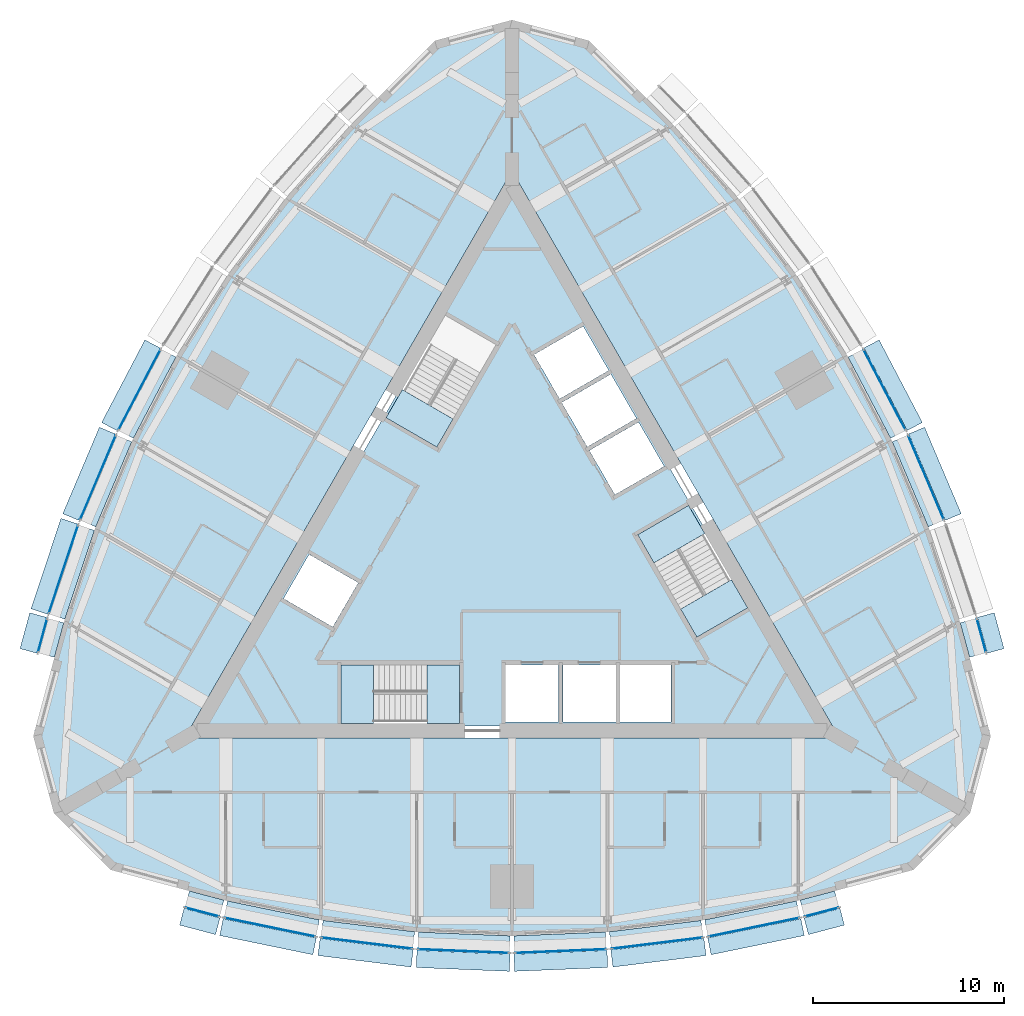
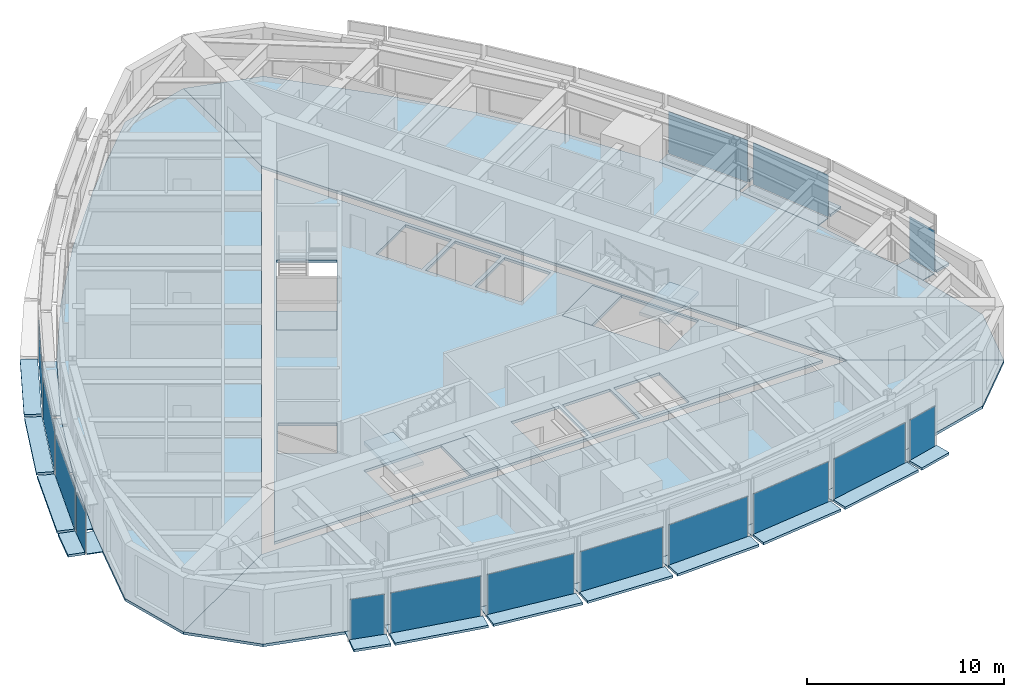
# One storey, part 7 of 15: 45 plates, 9 slabs, 18 elements without a shape of their own.
"""IFC4 building model written with IfcOpenShell, lengths in metres."""

from ifc_helpers import new_model, si_unit, direction, frame, origin, origin_2d, place, context, subcontext, project, spatial, polyline, rectangle, outline, extrude, material, layer, layer_set, type_object, element, aggregate, save


model = new_model("IFC4")

# Units and contexts
model_context = context("Model", 3, precision=1e-05, world=origin(), true_north=direction((0.0, 1.0)))
body_context = subcontext(model_context, "Body", "Model", "MODEL_VIEW")
ifc_project = project(units=[si_unit("LENGTHUNIT", "METRE"), si_unit("AREAUNIT", "SQUARE_METRE"), si_unit("VOLUMEUNIT", "CUBIC_METRE"), si_unit("PLANEANGLEUNIT", "RADIAN"), si_unit("MASSUNIT", "GRAM", prefix="KILO")], contexts=[model_context])

# Site, building, storey
site_placement = place(None, origin())
site = spatial("IfcSite", under=ifc_project, at=site_placement, CompositionType="ELEMENT")
building_placement = place(site_placement, origin())
building = spatial("IfcBuilding", under=site, at=building_placement, Name="Trikona Tower", CompositionType="ELEMENT")
storey_placement = place(building_placement, frame((0.0, 0.0, 229.699951171875)))
storey = spatial("IfcBuildingStorey", under=building, at=storey_placement, Name="L61", CompositionType="ELEMENT", Elevation=229.699951171875)

# Plates
ifc_material_1 = material(Name="Aluminium bar grating", Category="aluminium")
ifc_layer_1 = layer(ifc_material_1, 0.050048828125)
ifc_layer_set_1 = layer_set([ifc_layer_1], Name="Cavity catwalk grating")
plate_type_1 = type_object("IfcPlateType", Name="Cavity catwalk grating", PredefinedType="USERDEFINED", material=ifc_layer_set_1)
plate_1_placement = place(storey_placement, frame((-16.10693359375, -18.5673828125, -0.0498046875), z_axis=(0.0, 0.0, 1.0), x_axis=(0.966993038714, -0.254802792527, 0.0)))
element("IfcPlate", 1, at=plate_1_placement, inside=storey, type_object=plate_type_1, Name="Cavity catwalk L61-00", ObjectType="CATWALK GRATING", PredefinedType="USERDEFINED", context=body_context, shape_type="SweptSolid", body=[
    extrude(rectangle(XDim=1.868408203125, YDim=0.840087890625, at=origin_2d()), origin(), (0.0, 0.0, 1.0), 0.050048828125),
])
plate_2_placement = place(storey_placement, frame((-12.584716796875, -19.35107421875, -0.0498046875), z_axis=(0.0, 0.0, 1.0), x_axis=(0.979457514864, -0.201650629992, 0.0)))
element("IfcPlate", 2, at=plate_2_placement, inside=storey, type_object=plate_type_1, Name="Cavity catwalk L61-01", ObjectType="CATWALK GRATING", PredefinedType="USERDEFINED", context=body_context, shape_type="SweptSolid", body=[
    extrude(rectangle(XDim=4.90478515625, YDim=0.840087890625, at=origin_2d()), origin(), (0.0, 0.0, 1.0), 0.050048828125),
])
plate_3_placement = place(storey_placement, frame((-7.551513671875, -20.179931640625, -0.0498046875), z_axis=(0.0, 0.0, 1.0), x_axis=(0.992455266199, -0.122607277901, 0.0)))
element("IfcPlate", 3, at=plate_3_placement, inside=storey, type_object=plate_type_1, Name="Cavity catwalk L61-02", ObjectType="CATWALK GRATING", PredefinedType="USERDEFINED", context=body_context, shape_type="SweptSolid", body=[
    extrude(rectangle(XDim=4.837890625, YDim=0.840087890625, at=origin_2d()), origin(), (0.0, 0.0, 1.0), 0.050048828125),
])
for number, where, z_axis, x_axis, name in (
    (4, (-2.517333984375, -20.594482421875, -0.0498046875), (0.0, 0.0, 1.0), (0.999153186307, -0.041144991109, 0.0), "Cavity catwalk L61-03"),
    (5, (2.517333984375, -20.594482421875, -0.0498046875), (0.0, 0.0, 1.0), (0.999153186307, 0.041144991109, 0.0), "Cavity catwalk L61-04"),
):
    element("IfcPlate", number, at=place(storey_placement, frame(where, z_axis=z_axis, x_axis=x_axis)), inside=storey, type_object=plate_type_1, Name=name, ObjectType="CATWALK GRATING", PredefinedType="USERDEFINED", context=body_context, shape_type="SweptSolid", body=[
        extrude(rectangle(XDim=4.80419921875, YDim=0.840087890625, at=origin_2d()), origin(), (0.0, 0.0, 1.0), 0.050048828125),
    ])
plate_4_placement = place(storey_placement, frame((7.551513671875, -20.179931640625, -0.0498046875), z_axis=(0.0, 0.0, 1.0), x_axis=(0.992455266199, 0.122607277901, 0.0)))
element("IfcPlate", 6, at=plate_4_placement, inside=storey, type_object=plate_type_1, Name="Cavity catwalk L61-05", ObjectType="CATWALK GRATING", PredefinedType="USERDEFINED", context=body_context, shape_type="SweptSolid", body=[
    extrude(rectangle(XDim=4.837890625, YDim=0.840087890625, at=origin_2d()), origin(), (0.0, 0.0, 1.0), 0.050048828125),
])
plate_5_placement = place(storey_placement, frame((12.584716796875, -19.35107421875, -0.0498046875), z_axis=(0.0, 0.0, 1.0), x_axis=(0.979457514864, 0.201650629992, 0.0)))
element("IfcPlate", 7, at=plate_5_placement, inside=storey, type_object=plate_type_1, Name="Cavity catwalk L61-06", ObjectType="CATWALK GRATING", PredefinedType="USERDEFINED", context=body_context, shape_type="SweptSolid", body=[
    extrude(rectangle(XDim=4.90478515625, YDim=0.840087890625, at=origin_2d()), origin(), (0.0, 0.0, 1.0), 0.050048828125),
])
for number, where, z_axis, x_axis, name in (
    (8, (16.10693359375, -18.5673828125, -0.0498046875), (0.0, 0.0, 1.0), (0.966993038714, 0.254802792527, 0.0), "Cavity catwalk L61-07"),
    (9, (24.13330078125, -4.665283203125, -0.0498046875), (0.0, 0.0, 1.0), (-0.262822408229, 0.964844226667, 0.0), "Cavity catwalk L61-12"),
):
    element("IfcPlate", number, at=place(storey_placement, frame(where, z_axis=z_axis, x_axis=x_axis)), inside=storey, type_object=plate_type_1, Name=name, ObjectType="CATWALK GRATING", PredefinedType="USERDEFINED", context=body_context, shape_type="SweptSolid", body=[
        extrude(rectangle(XDim=1.868408203125, YDim=0.840087890625, at=origin_2d()), origin(), (0.0, 0.0, 1.0), 0.050048828125),
    ])
plate_6_placement = place(storey_placement, frame((21.252197265625, 3.55029296875, -0.0498046875), z_axis=(0.0, 0.0, 1.0), x_axis=(-0.390051437015, 0.920793069306, 0.0)))
element("IfcPlate", 10, at=plate_6_placement, inside=storey, type_object=plate_type_1, Name="Cavity catwalk L61-14", ObjectType="CATWALK GRATING", PredefinedType="USERDEFINED", context=body_context, shape_type="SweptSolid", body=[
    extrude(rectangle(XDim=4.837890625, YDim=0.840087890625, at=origin_2d()), origin(), (0.0, 0.0, 1.0), 0.050048828125),
])
for number, where, z_axis, x_axis, name in (
    (11, (19.093994140625, 8.1171875, -0.0498046875), (0.0, 0.0, 1.0), (-0.463951716224, 0.885860488459, 0.0), "Cavity catwalk L61-15"),
    (12, (-19.093994140625, 8.1171875, -0.0498046875), (0.0, 0.0, 1.0), (-0.463951716224, -0.885860488459, 0.0), "Cavity catwalk L61-28"),
):
    element("IfcPlate", number, at=place(storey_placement, frame(where, z_axis=z_axis, x_axis=x_axis)), inside=storey, type_object=plate_type_1, Name=name, ObjectType="CATWALK GRATING", PredefinedType="USERDEFINED", context=body_context, shape_type="SweptSolid", body=[
        extrude(rectangle(XDim=4.80419921875, YDim=0.840087890625, at=origin_2d()), origin(), (0.0, 0.0, 1.0), 0.050048828125),
    ])
plate_7_placement = place(storey_placement, frame((-21.252197265625, 3.55029296875, -0.0498046875), z_axis=(0.0, 0.0, 1.0), x_axis=(-0.390051437015, -0.920793069306, 0.0)))
element("IfcPlate", 13, at=plate_7_placement, inside=storey, type_object=plate_type_1, Name="Cavity catwalk L61-29", ObjectType="CATWALK GRATING", PredefinedType="USERDEFINED", context=body_context, shape_type="SweptSolid", body=[
    extrude(rectangle(XDim=4.837890625, YDim=0.840087890625, at=origin_2d()), origin(), (0.0, 0.0, 1.0), 0.050048828125),
])
plate_8_placement = place(storey_placement, frame((-23.05078125, -1.22314453125, -0.0498046875), z_axis=(0.0, 0.0, 1.0), x_axis=(-0.315092532747, -0.949060954737, 0.0)))
element("IfcPlate", 14, at=plate_8_placement, inside=storey, type_object=plate_type_1, Name="Cavity catwalk L61-30", ObjectType="CATWALK GRATING", PredefinedType="USERDEFINED", context=body_context, shape_type="SweptSolid", body=[
    extrude(rectangle(XDim=4.90478515625, YDim=0.840087890625, at=origin_2d()), origin(), (0.0, 0.0, 1.0), 0.050048828125),
])
plate_9_placement = place(storey_placement, frame((-24.13330078125, -4.665283203125, -0.0498046875), z_axis=(0.0, 0.0, 1.0), x_axis=(-0.262822408229, -0.964844226667, 0.0)))
element("IfcPlate", 15, at=plate_9_placement, inside=storey, type_object=plate_type_1, Name="Cavity catwalk L61-31", ObjectType="CATWALK GRATING", PredefinedType="USERDEFINED", context=body_context, shape_type="SweptSolid", body=[
    extrude(rectangle(XDim=1.868408203125, YDim=0.840087890625, at=origin_2d()), origin(), (0.0, 0.0, 1.0), 0.050048828125),
])

# Slabs
ifc_material_2 = material(Name="Concrete f'c 5000 psi lightweight on composite steel deck", Category="concrete")
ifc_layer_2 = layer(ifc_material_2, 0.1650390625)
ifc_layer_set_2 = layer_set([ifc_layer_2], Name="Composite floor slab 165")
slab_type_1 = type_object("IfcSlabType", Name="Composite floor slab 165", PredefinedType="FLOOR", material=ifc_layer_set_2)
slab_1_placement = place(storey_placement, frame((0.0, 0.0, -0.1650390625)))
element("IfcSlab", 16, at=slab_1_placement, inside=storey, type_object=slab_type_1, Name="Floor slab L61 core", PredefinedType="FLOOR", context=body_context, shape_type="SweptSolid", body=[
    extrude(outline(polyline([(-16.06689453125, -9.2763671875), (16.06689453125, -9.2763671875), (0.0, 18.552490234375), (-16.06689453125, -9.2763671875)]), holes=[polyline([(6.587158203125, 0.7431640625), (9.687255859375, -4.626220703125), (12.35009765625, -3.088623046875), (9.250244140625, 2.28076171875), (6.587158203125, 0.7431640625)]), polyline([(5.659912109375, -6.086181640625), (5.659912109375, -9.06640625), (8.340087890625, -9.06640625), (8.340087890625, -6.086181640625), (5.659912109375, -6.086181640625)]), polyline([(6.631591796875, 6.646240234375), (4.05078125, 5.15625), (5.390869140625, 2.835205078125), (7.9716796875, 4.3251953125), (6.631591796875, 6.646240234375)]), polyline([(6.521484375, 6.8369140625), (5.181640625, 9.15771484375), (2.600830078125, 7.667724609375), (3.94091796875, 5.3466796875), (6.521484375, 6.8369140625)]), polyline([(2.659912109375, -9.06640625), (5.43994140625, -9.06640625), (5.43994140625, -6.086181640625), (2.659912109375, -6.086181640625), (2.659912109375, -9.06640625)]), polyline([(2.490966796875, 7.858154296875), (5.071533203125, 9.34814453125), (3.731689453125, 11.669189453125), (1.15087890625, 10.17919921875), (2.490966796875, 7.858154296875)]), polyline([(2.43994140625, -9.06640625), (2.43994140625, -6.086181640625), (-0.340087890625, -6.086181640625), (-0.340087890625, -9.06640625), (2.43994140625, -9.06640625)]), polyline([(-3.937255859375, 5.3330078125), (-0.837158203125, 10.702392578125), (-3.500244140625, 12.239990234375), (-6.60009765625, 6.87060546875), (-3.937255859375, 5.3330078125)]), polyline([(-2.75, -6.076416015625), (-8.949951171875, -6.076416015625), (-8.949951171875, -9.1513671875), (-2.75, -9.1513671875), (-2.75, -6.076416015625)]), polyline([(-11.9716796875, -2.602783203125), (-9.390869140625, -4.093017578125), (-8.05078125, -1.77197265625), (-10.631591796875, -0.281982421875), (-11.9716796875, -2.602783203125)])]), origin(), (0.0, 0.0, 1.0), 0.1650390625),
])
slab_2_placement = place(storey_placement, frame((0.0, 0.0, -0.1650390625)))
element("IfcSlab", 17, at=slab_2_placement, inside=storey, type_object=slab_type_1, Name="Floor slab L61 south", PredefinedType="FLOOR", context=body_context, shape_type="SweptSolid", body=[
    extrude(outline(polyline([(21.04150390625, -16.81494140625), (24.0, -13.8564453125), (17.1494140625, -9.9013671875), (-17.1494140625, -9.9013671875), (-24.0, -13.8564453125), (-21.04150390625, -16.81494140625), (-17.0, -17.89794921875), (-15.0, -18.4248046875), (-10.0, -19.454345703125), (-5.0, -20.072021484375), (0.0, -20.27783203125), (5.0, -20.072021484375), (10.0, -19.454345703125), (15.0, -18.4248046875), (17.0, -17.89794921875), (21.04150390625, -16.81494140625)])), origin(), (0.0, 0.0, 1.0), 0.1650390625),
])
slab_3_placement = place(storey_placement, frame((0.0, 0.0, -0.1650390625)))
element("IfcSlab", 18, at=slab_3_placement, inside=storey, type_object=slab_type_1, Name="Floor slab L61 north-east", PredefinedType="FLOOR", context=body_context, shape_type="SweptSolid", body=[
    extrude(outline(polyline([(4.04150390625, 26.6298828125), (0.0, 27.712890625), (0.0, 19.802490234375), (17.1494140625, -9.9013671875), (24.0, -13.8564453125), (25.0830078125, -9.81494140625), (24.0, -5.7734375), (23.456298828125, -3.77783203125), (21.847900390625, 1.06689453125), (19.8828125, 5.705810546875), (17.56103515625, 10.138916015625), (14.8828125, 14.3662109375), (11.847900390625, 18.387451171875), (8.456298828125, 22.202880859375), (7.0, 23.67138671875), (4.04150390625, 26.6298828125)])), origin(), (0.0, 0.0, 1.0), 0.1650390625),
])
slab_4_placement = place(storey_placement, frame((0.0, 0.0, -0.1650390625)))
element("IfcSlab", 19, at=slab_4_placement, inside=storey, type_object=slab_type_1, Name="Floor slab L61 north-west", PredefinedType="FLOOR", context=body_context, shape_type="SweptSolid", body=[
    extrude(outline(polyline([(-7.0, 23.67138671875), (-8.456298828125, 22.202880859375), (-11.847900390625, 18.387451171875), (-14.8828125, 14.3662109375), (-17.56103515625, 10.138916015625), (-19.8828125, 5.705810546875), (-21.847900390625, 1.06689453125), (-23.456298828125, -3.77783203125), (-24.0, -5.7734375), (-25.0830078125, -9.81494140625), (-24.0, -13.8564453125), (-17.1494140625, -9.9013671875), (0.0, 19.802490234375), (0.0, 27.712890625), (-4.04150390625, 26.6298828125), (-7.0, 23.67138671875)])), origin(), (0.0, 0.0, 1.0), 0.1650390625),
])

# Curtain wall, plate
ifc_material_3 = material(Name="Aluminium curtain wall system", Category="aluminium")
curtain_wall_type = type_object("IfcCurtainWallType", Name="Curtain wall DS3S", PredefinedType="NOTDEFINED", material=ifc_material_3)
curtain_wall_1_placement = place(storey_placement, origin())
curtain_wall_1 = element("IfcCurtainWall", 20, at=curtain_wall_1_placement, inside=storey, type_object=curtain_wall_type, Name="Curtain wall DS3S L61", PredefinedType="NOTDEFINED")
ifc_material_4 = material(Name="Laminated clear glass", Category="glass")
ifc_layer_3 = layer(ifc_material_4, 0.028076171875)
ifc_layer_set_3 = layer_set([ifc_layer_3], Name="Glass panel DS3S")
plate_type_2 = type_object("IfcPlateType", Name="Glass panel DS3S", PredefinedType="CURTAIN_PANEL", material=ifc_layer_set_3)
plate_10_placement = place(storey_placement, frame((-16.229248046875, -19.03173828125, 0.0), z_axis=(0.0, 0.0, 1.0), x_axis=(0.966997369647, -0.25478635579, 0.0)))
plate_10 = element("IfcPlate", 21, at=plate_10_placement, type_object=plate_type_2, Name="CW-DS3S panel 1.1", PredefinedType="CURTAIN_PANEL", context=body_context, shape_type="SweptSolid", body=[
    extrude(rectangle(XDim=1.808349609375, YDim=0.028076171875, at=origin_2d()), origin(), (0.0, 0.0, 1.0), 2.60009765625),
])
aggregate(curtain_wall_1, [plate_10])

curtain_wall_2_placement = place(storey_placement, origin())
curtain_wall_2 = element("IfcCurtainWall", 22, at=curtain_wall_2_placement, inside=storey, type_object=curtain_wall_type, Name="Curtain wall DS3S L61", PredefinedType="NOTDEFINED")
plate_11_placement = place(storey_placement, frame((-12.681396484375, -19.821044921875, 0.0), z_axis=(0.0, 0.0, 1.0), x_axis=(0.979457043256, -0.201652920672, 0.0)))
plate_11 = element("IfcPlate", 23, at=plate_11_placement, type_object=plate_type_2, Name="CW-DS3S panel 1.1", PredefinedType="CURTAIN_PANEL", context=body_context, shape_type="SweptSolid", body=[
    extrude(rectangle(XDim=4.8447265625, YDim=0.028076171875, at=origin_2d()), origin(), (0.0, 0.0, 1.0), 2.60009765625),
])
aggregate(curtain_wall_2, [plate_11])

curtain_wall_3_placement = place(storey_placement, origin())
curtain_wall_3 = element("IfcCurtainWall", 24, at=curtain_wall_3_placement, inside=storey, type_object=curtain_wall_type, Name="Curtain wall DS3S L61", PredefinedType="NOTDEFINED")
plate_12_placement = place(storey_placement, frame((-7.6103515625, -20.656494140625, 0.0), z_axis=(0.0, 0.0, 1.0), x_axis=(0.992454850785, -0.122610640458, 0.0)))
plate_12 = element("IfcPlate", 25, at=plate_12_placement, type_object=plate_type_2, Name="CW-DS3S panel 1.1", PredefinedType="CURTAIN_PANEL", context=body_context, shape_type="SweptSolid", body=[
    extrude(rectangle(XDim=4.778076171875, YDim=0.028076171875, at=origin_2d()), origin(), (0.0, 0.0, 1.0), 2.60009765625),
])
aggregate(curtain_wall_3, [plate_12])

curtain_wall_4_placement = place(storey_placement, origin())
curtain_wall_4 = element("IfcCurtainWall", 26, at=curtain_wall_4_placement, inside=storey, type_object=curtain_wall_type, Name="Curtain wall DS3S L61", PredefinedType="NOTDEFINED")
plate_13_placement = place(storey_placement, frame((-2.537109375, -21.07421875, 0.0), z_axis=(0.0, 0.0, 1.0), x_axis=(0.999152865157, -0.04115278907, 0.0)))
plate_13 = element("IfcPlate", 27, at=plate_13_placement, type_object=plate_type_2, Name="CW-DS3S panel 1.1", PredefinedType="CURTAIN_PANEL", context=body_context, shape_type="SweptSolid", body=[
    extrude(rectangle(XDim=4.744140625, YDim=0.028076171875, at=origin_2d()), origin(), (0.0, 0.0, 1.0), 2.60009765625),
])
aggregate(curtain_wall_4, [plate_13])

curtain_wall_5_placement = place(storey_placement, origin())
curtain_wall_5 = element("IfcCurtainWall", 28, at=curtain_wall_5_placement, inside=storey, type_object=curtain_wall_type, Name="Curtain wall DS3S L61", PredefinedType="NOTDEFINED")
plate_14_placement = place(storey_placement, frame((2.537109375, -21.07421875, 0.0), z_axis=(0.0, 0.0, 1.0), x_axis=(0.999152865157, 0.04115278907, 0.0)))
plate_14 = element("IfcPlate", 29, at=plate_14_placement, type_object=plate_type_2, Name="CW-DS3S panel 1.1", PredefinedType="CURTAIN_PANEL", context=body_context, shape_type="SweptSolid", body=[
    extrude(rectangle(XDim=4.744140625, YDim=0.028076171875, at=origin_2d()), origin(), (0.0, 0.0, 1.0), 2.60009765625),
])
aggregate(curtain_wall_5, [plate_14])

curtain_wall_6_placement = place(storey_placement, origin())
curtain_wall_6 = element("IfcCurtainWall", 30, at=curtain_wall_6_placement, inside=storey, type_object=curtain_wall_type, Name="Curtain wall DS3S L61", PredefinedType="NOTDEFINED")
plate_15_placement = place(storey_placement, frame((7.6103515625, -20.656494140625, 0.0), z_axis=(0.0, 0.0, 1.0), x_axis=(0.992454850785, 0.122610640458, 0.0)))
plate_15 = element("IfcPlate", 31, at=plate_15_placement, type_object=plate_type_2, Name="CW-DS3S panel 1.1", PredefinedType="CURTAIN_PANEL", context=body_context, shape_type="SweptSolid", body=[
    extrude(rectangle(XDim=4.778076171875, YDim=0.028076171875, at=origin_2d()), origin(), (0.0, 0.0, 1.0), 2.60009765625),
])
aggregate(curtain_wall_6, [plate_15])

curtain_wall_7_placement = place(storey_placement, origin())
curtain_wall_7 = element("IfcCurtainWall", 32, at=curtain_wall_7_placement, inside=storey, type_object=curtain_wall_type, Name="Curtain wall DS3S L61", PredefinedType="NOTDEFINED")
plate_16_placement = place(storey_placement, frame((12.681396484375, -19.821044921875, 0.0), z_axis=(0.0, 0.0, 1.0), x_axis=(0.979457043256, 0.201652920672, 0.0)))
plate_16 = element("IfcPlate", 33, at=plate_16_placement, type_object=plate_type_2, Name="CW-DS3S panel 1.1", PredefinedType="CURTAIN_PANEL", context=body_context, shape_type="SweptSolid", body=[
    extrude(rectangle(XDim=4.8447265625, YDim=0.028076171875, at=origin_2d()), origin(), (0.0, 0.0, 1.0), 2.60009765625),
])
aggregate(curtain_wall_7, [plate_16])

curtain_wall_8_placement = place(storey_placement, origin())
curtain_wall_8 = element("IfcCurtainWall", 34, at=curtain_wall_8_placement, inside=storey, type_object=curtain_wall_type, Name="Curtain wall DS3S L61", PredefinedType="NOTDEFINED")
plate_17_placement = place(storey_placement, frame((16.229248046875, -19.03173828125, 0.0), z_axis=(0.0, 0.0, 1.0), x_axis=(0.966997369647, 0.25478635579, 0.0)))
plate_17 = element("IfcPlate", 35, at=plate_17_placement, type_object=plate_type_2, Name="CW-DS3S panel 1.1", PredefinedType="CURTAIN_PANEL", context=body_context, shape_type="SweptSolid", body=[
    extrude(rectangle(XDim=1.808349609375, YDim=0.028076171875, at=origin_2d()), origin(), (0.0, 0.0, 1.0), 2.60009765625),
])
aggregate(curtain_wall_8, [plate_17])

curtain_wall_9_placement = place(storey_placement, origin())
curtain_wall_9 = element("IfcCurtainWall", 36, at=curtain_wall_9_placement, inside=storey, type_object=curtain_wall_type, Name="Curtain wall DS3S L61", PredefinedType="NOTDEFINED")
plate_18_placement = place(storey_placement, frame((24.596435546875, -4.539306640625, 0.0), z_axis=(0.0, 0.0, 1.0), x_axis=(-0.262843784676, 0.964838403494, 0.0)))
plate_18 = element("IfcPlate", 37, at=plate_18_placement, type_object=plate_type_2, Name="CW-DS3S panel 1.1", PredefinedType="CURTAIN_PANEL", context=body_context, shape_type="SweptSolid", body=[
    extrude(rectangle(XDim=1.808349609375, YDim=0.028076171875, at=origin_2d()), origin(), (0.0, 0.0, 1.0), 2.60009765625),
])
aggregate(curtain_wall_9, [plate_18])

curtain_wall_10_placement = place(storey_placement, origin())
curtain_wall_10 = element("IfcCurtainWall", 38, at=curtain_wall_10_placement, inside=storey, type_object=curtain_wall_type, Name="Curtain wall DS3S L61", PredefinedType="NOTDEFINED")
plate_19_placement = place(storey_placement, frame((21.694091796875, 3.737548828125, 0.0), z_axis=(0.0, 0.0, 1.0), x_axis=(-0.390053199266, 0.920792322808, 0.0)))
plate_19 = element("IfcPlate", 39, at=plate_19_placement, type_object=plate_type_2, Name="CW-DS3S panel 1.1", PredefinedType="CURTAIN_PANEL", context=body_context, shape_type="SweptSolid", body=[
    extrude(rectangle(XDim=4.778076171875, YDim=0.028076171875, at=origin_2d()), origin(), (0.0, 0.0, 1.0), 2.60009765625),
])
aggregate(curtain_wall_10, [plate_19])

curtain_wall_11_placement = place(storey_placement, origin())
curtain_wall_11 = element("IfcCurtainWall", 40, at=curtain_wall_11_placement, inside=storey, type_object=curtain_wall_type, Name="Curtain wall DS3S L61", PredefinedType="NOTDEFINED")
plate_20_placement = place(storey_placement, frame((19.519287109375, 8.33984375, 0.0), z_axis=(0.0, 0.0, 1.0), x_axis=(-0.463948084434, 0.885862390527, 0.0)))
plate_20 = element("IfcPlate", 41, at=plate_20_placement, type_object=plate_type_2, Name="CW-DS3S panel 1.1", PredefinedType="CURTAIN_PANEL", context=body_context, shape_type="SweptSolid", body=[
    extrude(rectangle(XDim=4.744140625, YDim=0.028076171875, at=origin_2d()), origin(), (0.0, 0.0, 1.0), 2.60009765625),
])
aggregate(curtain_wall_11, [plate_20])

curtain_wall_12_placement = place(storey_placement, origin())
curtain_wall_12 = element("IfcCurtainWall", 42, at=curtain_wall_12_placement, inside=storey, type_object=curtain_wall_type, Name="Curtain wall DS3S L61", PredefinedType="NOTDEFINED")
plate_21_placement = place(storey_placement, frame((-19.519287109375, 8.33984375, 0.0), z_axis=(0.0, 0.0, 1.0), x_axis=(-0.463948084434, -0.885862390527, 0.0)))
plate_21 = element("IfcPlate", 43, at=plate_21_placement, type_object=plate_type_2, Name="CW-DS3S panel 1.1", PredefinedType="CURTAIN_PANEL", context=body_context, shape_type="SweptSolid", body=[
    extrude(rectangle(XDim=4.744140625, YDim=0.028076171875, at=origin_2d()), origin(), (0.0, 0.0, 1.0), 2.60009765625),
])
aggregate(curtain_wall_12, [plate_21])

curtain_wall_13_placement = place(storey_placement, origin())
curtain_wall_13 = element("IfcCurtainWall", 44, at=curtain_wall_13_placement, inside=storey, type_object=curtain_wall_type, Name="Curtain wall DS3S L61", PredefinedType="NOTDEFINED")
plate_22_placement = place(storey_placement, frame((-21.694091796875, 3.737548828125, 0.0), z_axis=(0.0, 0.0, 1.0), x_axis=(-0.390053199266, -0.920792322808, 0.0)))
plate_22 = element("IfcPlate", 45, at=plate_22_placement, type_object=plate_type_2, Name="CW-DS3S panel 1.1", PredefinedType="CURTAIN_PANEL", context=body_context, shape_type="SweptSolid", body=[
    extrude(rectangle(XDim=4.778076171875, YDim=0.028076171875, at=origin_2d()), origin(), (0.0, 0.0, 1.0), 2.60009765625),
])
aggregate(curtain_wall_13, [plate_22])

curtain_wall_14_placement = place(storey_placement, origin())
curtain_wall_14 = element("IfcCurtainWall", 46, at=curtain_wall_14_placement, inside=storey, type_object=curtain_wall_type, Name="Curtain wall DS3S L61", PredefinedType="NOTDEFINED")
plate_23_placement = place(storey_placement, frame((-23.50634765625, -1.072021484375, 0.0), z_axis=(0.0, 0.0, 1.0), x_axis=(-0.315078038687, -0.949065766708, 0.0)))
plate_23 = element("IfcPlate", 47, at=plate_23_placement, type_object=plate_type_2, Name="CW-DS3S panel 1.1", PredefinedType="CURTAIN_PANEL", context=body_context, shape_type="SweptSolid", body=[
    extrude(rectangle(XDim=4.8447265625, YDim=0.028076171875, at=origin_2d()), origin(), (0.0, 0.0, 1.0), 2.60009765625),
])
aggregate(curtain_wall_14, [plate_23])

curtain_wall_15_placement = place(storey_placement, origin())
curtain_wall_15 = element("IfcCurtainWall", 48, at=curtain_wall_15_placement, inside=storey, type_object=curtain_wall_type, Name="Curtain wall DS3S L61", PredefinedType="NOTDEFINED")
plate_24_placement = place(storey_placement, frame((-24.596435546875, -4.539306640625, 0.0), z_axis=(0.0, 0.0, 1.0), x_axis=(-0.262843784676, -0.964838403494, 0.0)))
plate_24 = element("IfcPlate", 49, at=plate_24_placement, type_object=plate_type_2, Name="CW-DS3S panel 1.1", PredefinedType="CURTAIN_PANEL", context=body_context, shape_type="SweptSolid", body=[
    extrude(rectangle(XDim=1.808349609375, YDim=0.028076171875, at=origin_2d()), origin(), (0.0, 0.0, 1.0), 2.60009765625),
])
aggregate(curtain_wall_15, [plate_24])

# Plates
ifc_material_5 = material(Name="Aluminium plate fin, pale anodised, on stainless steel outriggers", Category="steel")
ifc_layer_4 = layer(ifc_material_5, 0.14990234375)
ifc_layer_set_4 = layer_set([ifc_layer_4], Name="Outer skin fin 900")
plate_type_3 = type_object("IfcPlateType", Name="Outer skin fin 900", PredefinedType="USERDEFINED", material=ifc_layer_set_4)
plate_25_placement = place(storey_placement, frame((-16.359375, -19.52490234375, 0.0), z_axis=(0.0, 0.0, 1.0), x_axis=(0.966993038714, -0.254802792527, 0.0)))
element("IfcPlate", 50, at=plate_25_placement, inside=storey, type_object=plate_type_3, Name="Outer skin fin L61-00", ObjectType="FIN", PredefinedType="USERDEFINED", context=body_context, shape_type="SweptSolid", body=[
    extrude(rectangle(XDim=1.9482421875, YDim=0.89990234375, at=origin_2d()), origin(), (0.0, 0.0, 1.0), 0.14990234375),
])
plate_26_placement = place(storey_placement, frame((-12.7841796875, -20.320556640625, 0.0), z_axis=(0.0, 0.0, 1.0), x_axis=(0.979457514864, -0.201650629992, 0.0)))
element("IfcPlate", 51, at=plate_26_placement, inside=storey, type_object=plate_type_3, Name="Outer skin fin L61-01", ObjectType="FIN", PredefinedType="USERDEFINED", context=body_context, shape_type="SweptSolid", body=[
    extrude(rectangle(XDim=4.98486328125, YDim=0.89990234375, at=origin_2d()), origin(), (0.0, 0.0, 1.0), 0.14990234375),
])
plate_27_placement = place(storey_placement, frame((-7.6728515625, -21.16259765625, 0.0), z_axis=(0.0, 0.0, 1.0), x_axis=(0.992455266199, -0.122607277901, 0.0)))
element("IfcPlate", 52, at=plate_27_placement, inside=storey, type_object=plate_type_3, Name="Outer skin fin L61-02", ObjectType="FIN", PredefinedType="USERDEFINED", context=body_context, shape_type="SweptSolid", body=[
    extrude(rectangle(XDim=4.91796875, YDim=0.89990234375, at=origin_2d()), origin(), (0.0, 0.0, 1.0), 0.14990234375),
])
for number, where, z_axis, x_axis, name in (
    (53, (-2.55810546875, -21.583740234375, 0.0), (0.0, 0.0, 1.0), (0.999153186307, -0.041144991109, 0.0), "Outer skin fin L61-03"),
    (54, (2.55810546875, -21.583740234375, 0.0), (0.0, 0.0, 1.0), (0.999153186307, 0.041144991109, 0.0), "Outer skin fin L61-04"),
):
    element("IfcPlate", number, at=place(storey_placement, frame(where, z_axis=z_axis, x_axis=x_axis)), inside=storey, type_object=plate_type_3, Name=name, ObjectType="FIN", PredefinedType="USERDEFINED", context=body_context, shape_type="SweptSolid", body=[
        extrude(rectangle(XDim=4.88427734375, YDim=0.89990234375, at=origin_2d()), origin(), (0.0, 0.0, 1.0), 0.14990234375),
    ])
plate_28_placement = place(storey_placement, frame((7.6728515625, -21.16259765625, 0.0), z_axis=(0.0, 0.0, 1.0), x_axis=(0.992455266199, 0.122607277901, 0.0)))
element("IfcPlate", 55, at=plate_28_placement, inside=storey, type_object=plate_type_3, Name="Outer skin fin L61-05", ObjectType="FIN", PredefinedType="USERDEFINED", context=body_context, shape_type="SweptSolid", body=[
    extrude(rectangle(XDim=4.91796875, YDim=0.89990234375, at=origin_2d()), origin(), (0.0, 0.0, 1.0), 0.14990234375),
])
plate_29_placement = place(storey_placement, frame((12.7841796875, -20.320556640625, 0.0), z_axis=(0.0, 0.0, 1.0), x_axis=(0.979457514864, 0.201650629992, 0.0)))
element("IfcPlate", 56, at=plate_29_placement, inside=storey, type_object=plate_type_3, Name="Outer skin fin L61-06", ObjectType="FIN", PredefinedType="USERDEFINED", context=body_context, shape_type="SweptSolid", body=[
    extrude(rectangle(XDim=4.98486328125, YDim=0.89990234375, at=origin_2d()), origin(), (0.0, 0.0, 1.0), 0.14990234375),
])
for number, where, z_axis, x_axis, name in (
    (57, (16.359375, -19.52490234375, 0.0), (0.0, 0.0, 1.0), (0.966993038714, 0.254802792527, 0.0), "Outer skin fin L61-07"),
    (58, (25.088623046875, -4.405029296875, 0.0), (0.0, 0.0, 1.0), (-0.262822408229, 0.964844226667, 0.0), "Outer skin fin L61-12"),
):
    element("IfcPlate", number, at=place(storey_placement, frame(where, z_axis=z_axis, x_axis=x_axis)), inside=storey, type_object=plate_type_3, Name=name, ObjectType="FIN", PredefinedType="USERDEFINED", context=body_context, shape_type="SweptSolid", body=[
        extrude(rectangle(XDim=1.9482421875, YDim=0.89990234375, at=origin_2d()), origin(), (0.0, 0.0, 1.0), 0.14990234375),
    ])
plate_30_placement = place(storey_placement, frame((22.163818359375, 3.936279296875, 0.0), z_axis=(0.0, 0.0, 1.0), x_axis=(-0.390051437015, 0.920793069306, 0.0)))
element("IfcPlate", 59, at=plate_30_placement, inside=storey, type_object=plate_type_3, Name="Outer skin fin L61-14", ObjectType="FIN", PredefinedType="USERDEFINED", context=body_context, shape_type="SweptSolid", body=[
    extrude(rectangle(XDim=4.91796875, YDim=0.89990234375, at=origin_2d()), origin(), (0.0, 0.0, 1.0), 0.14990234375),
])
for number, where, z_axis, x_axis, name in (
    (60, (19.970947265625, 8.57666015625, 0.0), (0.0, 0.0, 1.0), (-0.463951716224, 0.885860488459, 0.0), "Outer skin fin L61-15"),
    (61, (-19.970947265625, 8.57666015625, 0.0), (0.0, 0.0, 1.0), (-0.463951716224, -0.885860488459, 0.0), "Outer skin fin L61-28"),
):
    element("IfcPlate", number, at=place(storey_placement, frame(where, z_axis=z_axis, x_axis=x_axis)), inside=storey, type_object=plate_type_3, Name=name, ObjectType="FIN", PredefinedType="USERDEFINED", context=body_context, shape_type="SweptSolid", body=[
        extrude(rectangle(XDim=4.88427734375, YDim=0.89990234375, at=origin_2d()), origin(), (0.0, 0.0, 1.0), 0.14990234375),
    ])
plate_31_placement = place(storey_placement, frame((-22.163818359375, 3.936279296875, 0.0), z_axis=(0.0, 0.0, 1.0), x_axis=(-0.390051437015, -0.920793069306, 0.0)))
element("IfcPlate", 62, at=plate_31_placement, inside=storey, type_object=plate_type_3, Name="Outer skin fin L61-29", ObjectType="FIN", PredefinedType="USERDEFINED", context=body_context, shape_type="SweptSolid", body=[
    extrude(rectangle(XDim=4.91796875, YDim=0.89990234375, at=origin_2d()), origin(), (0.0, 0.0, 1.0), 0.14990234375),
])
plate_32_placement = place(storey_placement, frame((-23.990234375, -0.9111328125, 0.0), z_axis=(0.0, 0.0, 1.0), x_axis=(-0.315092532747, -0.949060954737, 0.0)))
element("IfcPlate", 63, at=plate_32_placement, inside=storey, type_object=plate_type_3, Name="Outer skin fin L61-30", ObjectType="FIN", PredefinedType="USERDEFINED", context=body_context, shape_type="SweptSolid", body=[
    extrude(rectangle(XDim=4.98486328125, YDim=0.89990234375, at=origin_2d()), origin(), (0.0, 0.0, 1.0), 0.14990234375),
])
plate_33_placement = place(storey_placement, frame((-25.088623046875, -4.405029296875, 0.0), z_axis=(0.0, 0.0, 1.0), x_axis=(-0.262822408229, -0.964844226667, 0.0)))
element("IfcPlate", 64, at=plate_33_placement, inside=storey, type_object=plate_type_3, Name="Outer skin fin L61-31", ObjectType="FIN", PredefinedType="USERDEFINED", context=body_context, shape_type="SweptSolid", body=[
    extrude(rectangle(XDim=1.9482421875, YDim=0.89990234375, at=origin_2d()), origin(), (0.0, 0.0, 1.0), 0.14990234375),
])

# Stair, slabs
ifc_material_6 = material(Name="Concrete f'c 5000 psi", Category="concrete")
stair_type = type_object("IfcStairType", Name="Core stair", PredefinedType="HALF_TURN_STAIR", material=ifc_material_6)
stair_1_placement = place(storey_placement, origin())
stair_1 = element("IfcStair", 65, at=stair_1_placement, inside=storey, type_object=stair_type, Name="Stair A L61", PredefinedType="HALF_TURN_STAIR")
ifc_material_7 = material(Name="Concrete f'c 5000 psi", Category="concrete")
ifc_layer_5 = layer(ifc_material_7, 0.199951171875)
ifc_layer_set_5 = layer_set([ifc_layer_5], Name="Stair landing 200")
slab_type_2 = type_object("IfcSlabType", Name="Stair landing 200", PredefinedType="LANDING", material=ifc_layer_set_5)
slab_5_placement = place(storey_placement, frame((0.0, 0.0, -0.199951171875)))
slab_5 = element("IfcSlab", 66, at=slab_5_placement, type_object=slab_type_2, Name="ST-A landing 1", PredefinedType="LANDING", context=body_context, shape_type="SweptSolid", body=[
    extrude(outline(polyline([(-4.452880859375, -6.076416015625), (-2.75, -6.076416015625), (-2.75, -9.1513671875), (-4.452880859375, -9.1513671875), (-4.452880859375, -6.076416015625)])), origin(), (0.0, 0.0, 1.0), 0.199951171875),
])
slab_6_placement = place(storey_placement, frame((0.0, 0.0, 1.60009765625)))
slab_6 = element("IfcSlab", 67, at=slab_6_placement, type_object=slab_type_2, Name="ST-A landing 2", PredefinedType="LANDING", context=body_context, shape_type="SweptSolid", body=[
    extrude(outline(polyline([(-8.949951171875, -6.076416015625), (-7.2470703125, -6.076416015625), (-7.2470703125, -9.1513671875), (-8.949951171875, -9.1513671875), (-8.949951171875, -6.076416015625)])), origin(), (0.0, 0.0, 1.0), 0.199951171875),
])
aggregate(stair_1, [slab_5, slab_6])

stair_2_placement = place(storey_placement, origin())
stair_2 = element("IfcStair", 68, at=stair_2_placement, inside=storey, type_object=stair_type, Name="Stair B L61", PredefinedType="HALF_TURN_STAIR")
slab_7_placement = place(storey_placement, frame((0.0, 0.0, -0.199951171875)))
slab_7 = element("IfcSlab", 69, at=slab_7_placement, type_object=slab_type_2, Name="ST-B landing 1", PredefinedType="LANDING", context=body_context, shape_type="SweptSolid", body=[
    extrude(outline(polyline([(7.438720703125, -0.731689453125), (6.587158203125, 0.7431640625), (9.250244140625, 2.28076171875), (10.101806640625, 0.805908203125), (7.438720703125, -0.731689453125)])), origin(), (0.0, 0.0, 1.0), 0.199951171875),
])
slab_8_placement = place(storey_placement, frame((0.0, 0.0, 1.60009765625)))
slab_8 = element("IfcSlab", 70, at=slab_8_placement, type_object=slab_type_2, Name="ST-B landing 2", PredefinedType="LANDING", context=body_context, shape_type="SweptSolid", body=[
    extrude(outline(polyline([(9.687255859375, -4.626220703125), (8.835693359375, -3.1513671875), (11.498779296875, -1.61376953125), (12.35009765625, -3.088623046875), (9.687255859375, -4.626220703125)])), origin(), (0.0, 0.0, 1.0), 0.199951171875),
])
aggregate(stair_2, [slab_7, slab_8])

# Stair, slab
stair_3_placement = place(storey_placement, origin())
stair_3 = element("IfcStair", 71, at=stair_3_placement, inside=storey, type_object=stair_type, Name="Stair C L61", PredefinedType="HALF_TURN_STAIR")
slab_9_placement = place(storey_placement, frame((0.0, 0.0, -0.199951171875)))
slab_9 = element("IfcSlab", 72, at=slab_9_placement, type_object=slab_type_2, Name="ST-C landing 1", PredefinedType="LANDING", context=body_context, shape_type="SweptSolid", body=[
    extrude(outline(polyline([(-3.085693359375, 6.807861328125), (-3.937255859375, 5.3330078125), (-6.60009765625, 6.87060546875), (-5.748779296875, 8.345458984375), (-3.085693359375, 6.807861328125)])), origin(), (0.0, 0.0, 1.0), 0.199951171875),
])
aggregate(stair_3, [slab_9])

save(model, "model.ifc")
